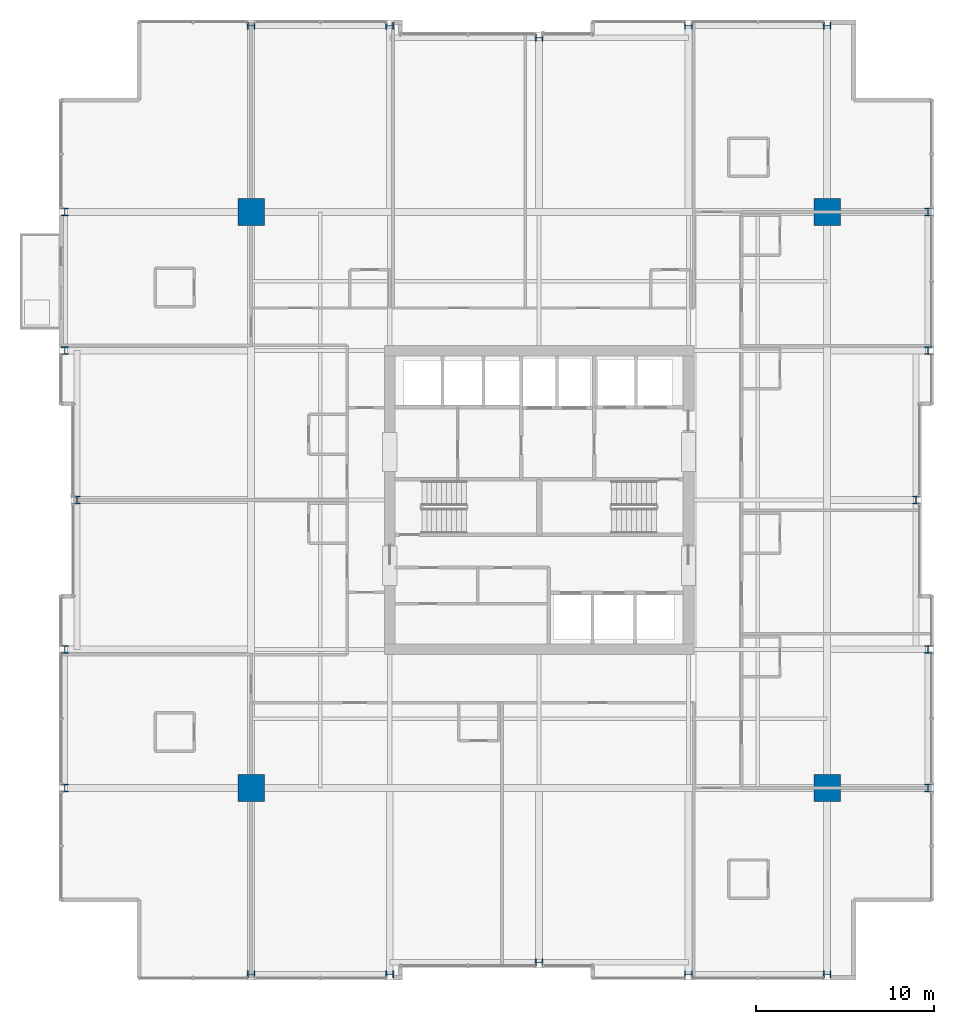
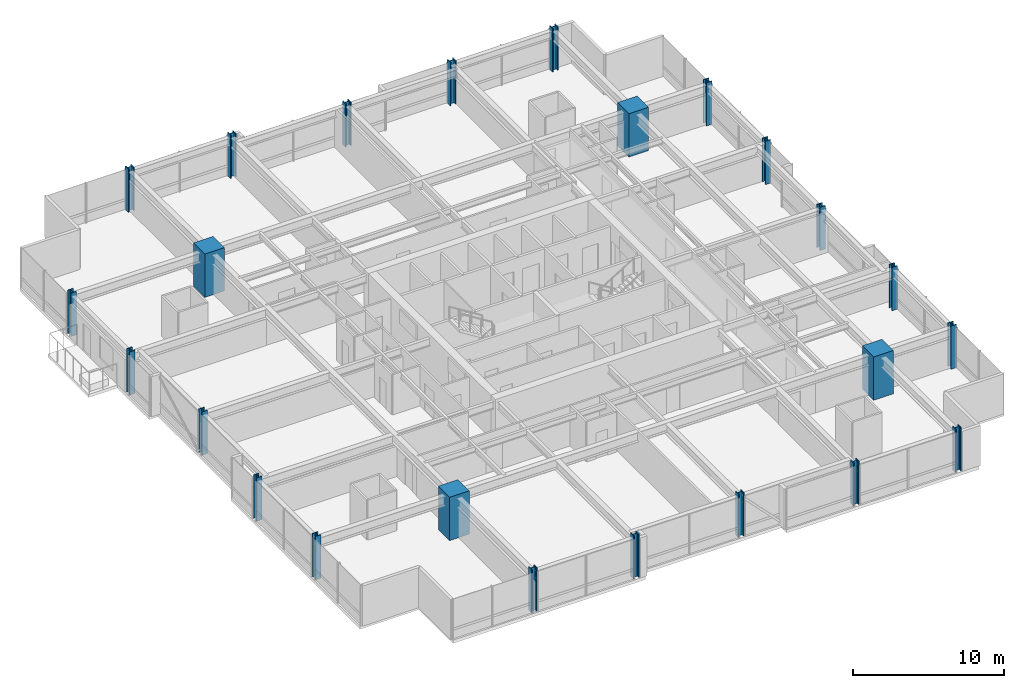
# One storey, part 1 of 34: 24 columns.
"""IFC4 building model written with IfcOpenShell, lengths in metres."""

from ifc_helpers import new_model, si_unit, direction, frame, origin, origin_2d, place, context, subcontext, project, spatial, rectangle, i_section, extrude, material, material_profile, profile_set, type_object, element, save


model = new_model("IFC4")

# Units and contexts
model_context = context("Model", 3, precision=1e-05, world=origin(), true_north=direction((0.0, 1.0)))
body_context = subcontext(model_context, "Body", "Model", "MODEL_VIEW")
ifc_project = project(units=[si_unit("LENGTHUNIT", "METRE"), si_unit("AREAUNIT", "SQUARE_METRE"), si_unit("VOLUMEUNIT", "CUBIC_METRE"), si_unit("PLANEANGLEUNIT", "RADIAN"), si_unit("MASSUNIT", "GRAM", prefix="KILO")], contexts=[model_context])

# Site, building, storey
site_placement = place(None, origin())
site = spatial("IfcSite", under=ifc_project, at=site_placement, CompositionType="ELEMENT")
building_placement = place(site_placement, origin())
building = spatial("IfcBuilding", under=site, at=building_placement, Name="Drelvath Grand Hotel", CompositionType="ELEMENT")
storey_placement = place(building_placement, frame((0.0, 0.0, 102.300048828125)))
storey = spatial("IfcBuildingStorey", under=building, at=storey_placement, Name="L25", CompositionType="ELEMENT", Elevation=102.300048828125)

# Columns
ifc_material_1 = material(Name="Concrete f'c 70 MPa", Category="concrete")
ifc_material_profile_1 = material_profile(ifc_material_1, rectangle(XDim=1.5, YDim=1.5, at=origin_2d()), Name="MC1500X1500")
ifc_profile_set_1 = profile_set([ifc_material_profile_1], Name="Concrete f'c 70 MPa")
column_type_1 = type_object("IfcColumnType", Name="Composite Mega Column MC1500X1500", PredefinedType="COLUMN", material=ifc_profile_set_1)
for number, where, z_axis, x_axis, name in (
    (1, (-16.199951171875, 10.800048828125, 0.0), (0.0, 0.0, 1.0), (1.0, 0.0, 0.0), "L25 Composite Mega Column MC-SW"),
    (2, (16.199951171875, 10.800048828125, 0.0), (0.0, 0.0, 1.0), (1.0, 0.0, 0.0), "L25 Composite Mega Column MC-SE"),
    (3, (-16.199951171875, 43.199951171875, 0.0), (0.0, 0.0, 1.0), (1.0, 0.0, 0.0), "L25 Composite Mega Column MC-NW"),
    (4, (16.199951171875, 43.199951171875, 0.0), (0.0, 0.0, 1.0), (1.0, 0.0, 0.0), "L25 Composite Mega Column MC-NE"),
):
    element("IfcColumn", number, at=place(storey_placement, frame(where, z_axis=z_axis, x_axis=x_axis)), inside=storey, type_object=column_type_1, Name=name, PredefinedType="COLUMN", context=body_context, shape_type="SweptSolid", body=[
        extrude(rectangle(XDim=1.5, YDim=1.5, at=origin_2d()), origin(), (0.0, 0.0, 1.0), 3.5),
    ])
ifc_material_2 = material(Name="Steel ASTM A913 Gr 65", Category="steel")
ifc_material_profile_2 = material_profile(ifc_material_2, i_section(OverallWidth=0.41845703125, OverallDepth=0.455078125, WebThickness=0.0419921875, FlangeThickness=0.067626953125, FilletRadius=0.030029296875, at=origin_2d()), Name="W14X370")
ifc_profile_set_2 = profile_set([ifc_material_profile_2], Name="Steel ASTM A913 Gr 65")
column_type_2 = type_object("IfcColumnType", Name="Perimeter Steel Column W14X370", PredefinedType="COLUMN", material=ifc_profile_set_2)
for number, where, z_axis, x_axis, name in (
    (5, (-26.679931640625, 10.800048828125, 0.0), (0.0, 0.0, 1.0), (1.0, 0.0, 0.0), "L25 Structural Column TCW-C"),
    (6, (21.8798828125, 10.800048828125, 0.0), (0.0, 0.0, 1.0), (1.0, 0.0, 0.0), "L25 Structural Column TCE-C"),
    (7, (-26.679931640625, 18.60009765625, 0.0), (0.0, 0.0, 1.0), (1.0, 0.0, 0.0), "L25 Structural Column TCW-D"),
    (8, (21.8798828125, 18.60009765625, 0.0), (0.0, 0.0, 1.0), (1.0, 0.0, 0.0), "L25 Structural Column TCE-D"),
    (9, (-26.0, 27.0, 0.0), (0.0, 0.0, 1.0), (1.0, 0.0, 0.0), "L25 Structural Column TCW-E"),
    (10, (21.199951171875, 27.0, 0.0), (0.0, 0.0, 1.0), (1.0, 0.0, 0.0), "L25 Structural Column TCE-E"),
    (11, (-26.679931640625, 35.39990234375, 0.0), (0.0, 0.0, 1.0), (1.0, 0.0, 0.0), "L25 Structural Column TCW-F"),
    (12, (21.8798828125, 35.39990234375, 0.0), (0.0, 0.0, 1.0), (1.0, 0.0, 0.0), "L25 Structural Column TCE-F"),
    (13, (-26.679931640625, 43.199951171875, 0.0), (0.0, 0.0, 1.0), (1.0, 0.0, 0.0), "L25 Structural Column TCW-G"),
    (14, (21.8798828125, 43.199951171875, 0.0), (0.0, 0.0, 1.0), (1.0, 0.0, 0.0), "L25 Structural Column TCE-G"),
    (15, (-16.199951171875, 0.320068359375, 0.0), (0.0, 0.0, 1.0), (0.0, 1.0, 0.0), "L25 Structural Column TCS-3"),
    (16, (-16.199951171875, 53.679931640625, 0.0), (0.0, 0.0, 1.0), (0.0, 1.0, 0.0), "L25 Structural Column TCN-3"),
    (17, (-8.39990234375, 0.320068359375, 0.0), (0.0, 0.0, 1.0), (0.0, 1.0, 0.0), "L25 Structural Column TCS-4"),
    (18, (-8.39990234375, 53.679931640625, 0.0), (0.0, 0.0, 1.0), (0.0, 1.0, 0.0), "L25 Structural Column TCN-4"),
    (19, (0.0, 1.0, 0.0), (0.0, 0.0, 1.0), (0.0, 1.0, 0.0), "L25 Structural Column TCS-5"),
    (20, (0.0, 53.0, 0.0), (0.0, 0.0, 1.0), (0.0, 1.0, 0.0), "L25 Structural Column TCN-5"),
    (21, (8.39990234375, 0.320068359375, 0.0), (0.0, 0.0, 1.0), (0.0, 1.0, 0.0), "L25 Structural Column TCS-6"),
    (22, (8.39990234375, 53.679931640625, 0.0), (0.0, 0.0, 1.0), (0.0, 1.0, 0.0), "L25 Structural Column TCN-6"),
    (23, (16.199951171875, 0.320068359375, 0.0), (0.0, 0.0, 1.0), (0.0, 1.0, 0.0), "L25 Structural Column TCS-7"),
    (24, (16.199951171875, 53.679931640625, 0.0), (0.0, 0.0, 1.0), (0.0, 1.0, 0.0), "L25 Structural Column TCN-7"),
):
    element("IfcColumn", number, at=place(storey_placement, frame(where, z_axis=z_axis, x_axis=x_axis)), inside=storey, type_object=column_type_2, Name=name, PredefinedType="COLUMN", context=body_context, shape_type="SweptSolid", body=[
        extrude(i_section(OverallWidth=0.41845703125, OverallDepth=0.455078125, WebThickness=0.0419921875, FlangeThickness=0.067626953125, FilletRadius=0.030029296875, at=origin_2d()), origin(), (0.0, 0.0, 1.0), 3.4970703125),
    ])

save(model, "model.ifc")
